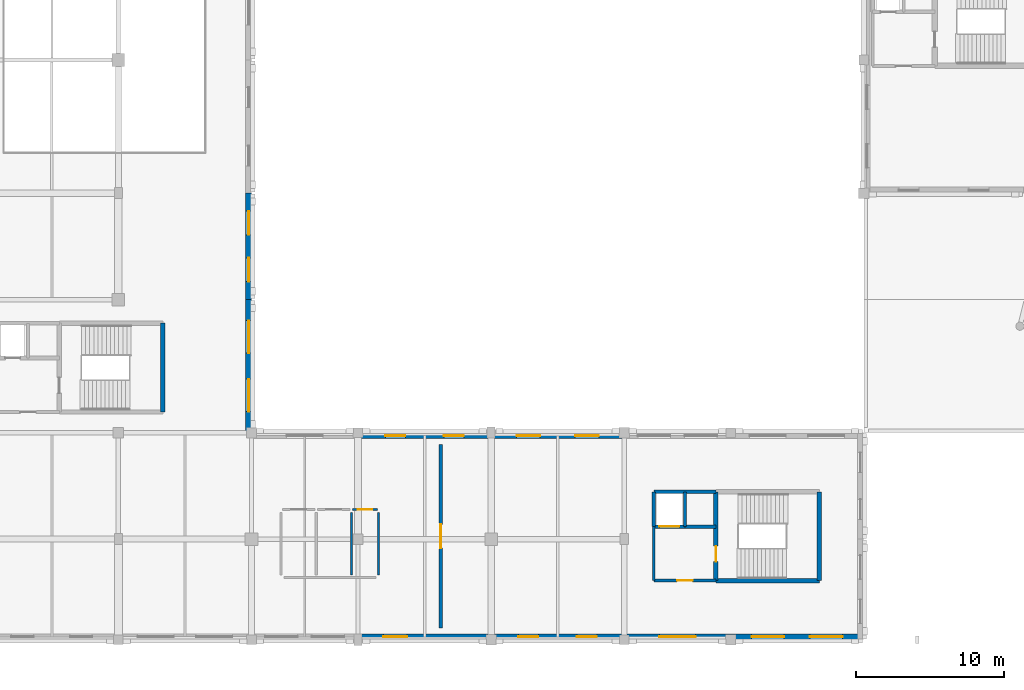
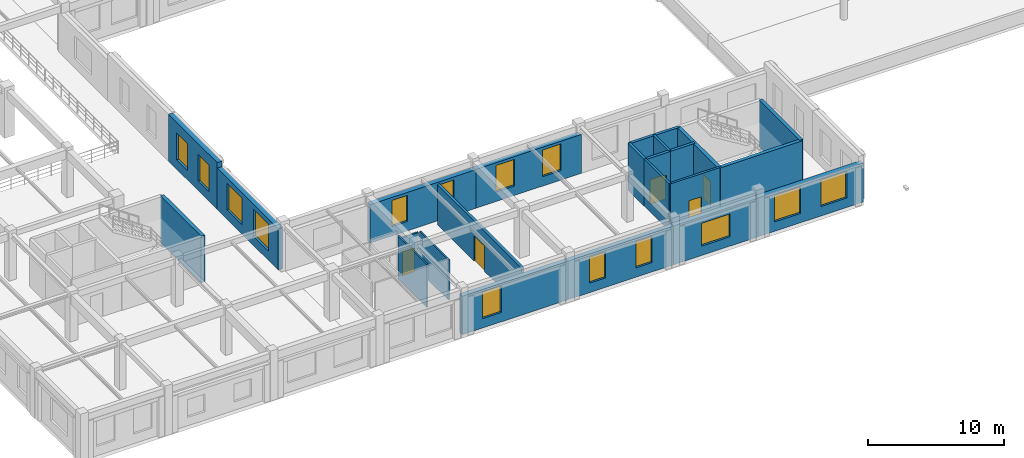
# One storey, part 37 of 62: 23 walls, 14 windows, 5 doors, 19 openings.
"""IFC4 building model written with IfcOpenShell, lengths in metres."""

from ifc_helpers import new_model, si_unit, direction, frame, frame_2d, origin, place, context, subcontext, project, spatial, rectangle, extrude, material, layer, layer_set, type_object, element, fill, save


model = new_model("IFC4")

# Units and contexts
model_context = context("Model", 3, precision=1e-05, world=origin(), true_north=direction((0.0, 1.0)))
body_context = subcontext(model_context, "Body", "Model", "MODEL_VIEW")
ifc_project = project(units=[si_unit("LENGTHUNIT", "METRE"), si_unit("AREAUNIT", "SQUARE_METRE"), si_unit("VOLUMEUNIT", "CUBIC_METRE"), si_unit("PLANEANGLEUNIT", "RADIAN"), si_unit("MASSUNIT", "GRAM", prefix="KILO")], contexts=[model_context])

# Site, building, storey
site_placement = place(None, origin())
site = spatial("IfcSite", under=ifc_project, at=site_placement, CompositionType="ELEMENT")
building_placement = place(site_placement, origin())
building = spatial("IfcBuilding", under=site, at=building_placement, Name="Clarverna Civic Hall", CompositionType="ELEMENT")
storey_placement = place(building_placement, frame((0.0, 0.0, 5.10009765625)))
storey = spatial("IfcBuildingStorey", under=building, at=storey_placement, Name="L01", CompositionType="ELEMENT", Elevation=5.10009765625)

# Wall, openings, windows
ifc_material_1 = material(Name="Montjuic Limestone Ashlar Cladding", Category="masonry")
ifc_layer_1 = layer(ifc_material_1, 0.39990234375)
ifc_layer_set_1 = layer_set([ifc_layer_1], Name="Montjuic Limestone Ashlar Cladding")
wall_type_1 = type_object("IfcWallType", Name="EW-02", PredefinedType="SOLIDWALL", material=ifc_layer_set_1)
wall_1_placement = place(storey_placement, frame((25.0, 30.199951171875, 0.0), z_axis=(0.0, 0.0, 1.0), x_axis=(0.0, -1.0, 0.0)))
wall_1 = element("IfcWall", 1, at=wall_1_placement, inside=storey, type_object=wall_type_1, Name="EW-02-067", PredefinedType="SOLIDWALL", context=body_context, shape_type="SweptSolid", body=[
    extrude(rectangle(XDim=7.199951171875, YDim=0.39990234375, at=frame_2d((3.60009765625, 0.0))), origin(), (0.0, 0.0, 1.0), 4.219970703125),
])
opening_1_placement = place(wall_1_placement, frame((1.216064453125, 0.0, 0.85009765625)))
opening_1 = element("IfcOpeningElement", 2, at=opening_1_placement, cuts=wall_1, Name="Opening WN-03", PredefinedType="OPENING", context=body_context, shape_type="SweptSolid", body=[
    extrude(rectangle(XDim=1.60009765625, YDim=2.39990234375, at=frame_2d((0.800048828125, 1.199951171875))), frame((0.0, 0.2099609375, 0.0), z_axis=(0.0, -1.0, 0.0), x_axis=(1.0, 0.0, 0.0)), (0.0, 0.0, 1.0), 0.419921875),
])
opening_2_placement = place(wall_1_placement, frame((4.384033203125, 0.0, 0.85009765625)))
opening_2 = element("IfcOpeningElement", 3, at=opening_2_placement, cuts=wall_1, Name="Opening WN-03", PredefinedType="OPENING", context=body_context, shape_type="SweptSolid", body=[
    extrude(rectangle(XDim=1.60009765625, YDim=2.39990234375, at=frame_2d((0.800048828125, 1.199951171875))), frame((0.0, 0.2099609375, 0.0), z_axis=(0.0, -1.0, 0.0), x_axis=(1.0, 0.0, 0.0)), (0.0, 0.0, 1.0), 0.419921875),
])
ifc_material_2 = material(Name="Solar-Control Argon Low-E Double Glazing", Category="glass")
window_type_1 = type_object("IfcWindowType", Name="WN-03", PartitioningType="DOUBLE_PANEL_VERTICAL", PredefinedType="WINDOW", material=ifc_material_2)
window_1_placement = place(opening_1_placement, origin())
window_1 = element("IfcWindow", 4, at=window_1_placement, inside=storey, type_object=window_type_1, Name="WN-03-023", OverallHeight=2.39990234375, OverallWidth=1.60009765625, PartitioningType="DOUBLE_PANEL_VERTICAL", PredefinedType="WINDOW", context=body_context, shape_type="SweptSolid", body=[
    extrude(rectangle(XDim=1.60009765625, YDim=2.39990234375, at=frame_2d((0.800048828125, 1.199951171875))), frame((0.0, 0.030029296875, 0.0), z_axis=(0.0, -1.0, 0.0), x_axis=(1.0, 0.0, 0.0)), (0.0, 0.0, 1.0), 0.06005859375),
])
fill(opening_1, window_1)
window_2_placement = place(opening_2_placement, origin())
window_2 = element("IfcWindow", 5, at=window_2_placement, inside=storey, type_object=window_type_1, Name="WN-03-024", OverallHeight=2.39990234375, OverallWidth=1.60009765625, PartitioningType="DOUBLE_PANEL_VERTICAL", PredefinedType="WINDOW", context=body_context, shape_type="SweptSolid", body=[
    extrude(rectangle(XDim=1.60009765625, YDim=2.39990234375, at=frame_2d((0.800048828125, 1.199951171875))), frame((0.0, 0.030029296875, 0.0), z_axis=(0.0, -1.0, 0.0), x_axis=(1.0, 0.0, 0.0)), (0.0, 0.0, 1.0), 0.06005859375),
])
fill(opening_2, window_2)

wall_2_placement = place(storey_placement, frame((25.0, 23.0, 0.0), z_axis=(0.0, 0.0, 1.0), x_axis=(0.0, -1.0, 0.0)))
wall_2 = element("IfcWall", 6, at=wall_2_placement, inside=storey, type_object=wall_type_1, Name="EW-02-068", PredefinedType="SOLIDWALL", context=body_context, shape_type="SweptSolid", body=[
    extrude(rectangle(XDim=9.0, YDim=0.39990234375, at=frame_2d((4.5, 0.0))), origin(), (0.0, 0.0, 1.0), 3.719970703125),
])
opening_3_placement = place(wall_2_placement, frame((1.419921875, 0.0, 0.85009765625)))
opening_3 = element("IfcOpeningElement", 7, at=opening_3_placement, cuts=wall_2, Name="Opening WN-04", PredefinedType="OPENING", context=body_context, shape_type="SweptSolid", body=[
    extrude(rectangle(XDim=2.199951171875, YDim=2.39990234375, at=frame_2d((1.10009765625, 1.199951171875))), frame((0.0, 0.2099609375, 0.0), z_axis=(0.0, -1.0, 0.0), x_axis=(1.0, 0.0, 0.0)), (0.0, 0.0, 1.0), 0.419921875),
])
opening_4_placement = place(wall_2_placement, frame((5.3798828125, 0.0, 0.85009765625)))
opening_4 = element("IfcOpeningElement", 8, at=opening_4_placement, cuts=wall_2, Name="Opening WN-04", PredefinedType="OPENING", context=body_context, shape_type="SweptSolid", body=[
    extrude(rectangle(XDim=2.199951171875, YDim=2.39990234375, at=frame_2d((1.10009765625, 1.199951171875))), frame((0.0, 0.2099609375, 0.0), z_axis=(0.0, -1.0, 0.0), x_axis=(1.0, 0.0, 0.0)), (0.0, 0.0, 1.0), 0.419921875),
])
window_type_2 = type_object("IfcWindowType", Name="WN-04", PartitioningType="DOUBLE_PANEL_VERTICAL", PredefinedType="WINDOW", material=ifc_material_2)
window_3_placement = place(opening_3_placement, origin())
window_3 = element("IfcWindow", 9, at=window_3_placement, inside=storey, type_object=window_type_2, Name="WN-04-021", OverallHeight=2.39990234375, OverallWidth=2.199951171875, PartitioningType="DOUBLE_PANEL_VERTICAL", PredefinedType="WINDOW", context=body_context, shape_type="SweptSolid", body=[
    extrude(rectangle(XDim=2.199951171875, YDim=2.39990234375, at=frame_2d((1.10009765625, 1.199951171875))), frame((0.0, 0.030029296875, 0.0), z_axis=(0.0, -1.0, 0.0), x_axis=(1.0, 0.0, 0.0)), (0.0, 0.0, 1.0), 0.06005859375),
])
fill(opening_3, window_3)
window_4_placement = place(opening_4_placement, origin())
window_4 = element("IfcWindow", 10, at=window_4_placement, inside=storey, type_object=window_type_2, Name="WN-04-022", OverallHeight=2.39990234375, OverallWidth=2.199951171875, PartitioningType="DOUBLE_PANEL_VERTICAL", PredefinedType="WINDOW", context=body_context, shape_type="SweptSolid", body=[
    extrude(rectangle(XDim=2.199951171875, YDim=2.39990234375, at=frame_2d((1.10009765625, 1.199951171875))), frame((0.0, 0.030029296875, 0.0), z_axis=(0.0, -1.0, 0.0), x_axis=(1.0, 0.0, 0.0)), (0.0, 0.0, 1.0), 0.06005859375),
])
fill(opening_4, window_4)

wall_3_placement = place(storey_placement, frame((32.39990234375, 13.800048828125, 0.0), z_axis=(0.0, 0.0, 1.0), x_axis=(1.0, 0.0, 0.0)))
wall_3 = element("IfcWall", 11, at=wall_3_placement, inside=storey, type_object=wall_type_1, Name="EW-02-070", PredefinedType="SOLIDWALL", context=body_context, shape_type="SweptSolid", body=[
    extrude(rectangle(XDim=9.0, YDim=0.39990234375, at=frame_2d((4.5, 0.0))), origin(), (0.0, 0.0, 1.0), 3.469970703125),
])
opening_5_placement = place(wall_3_placement, frame((1.844970703125, 0.0, 0.85009765625)))
opening_5 = element("IfcOpeningElement", 12, at=opening_5_placement, cuts=wall_3, Name="Opening WN-29", PredefinedType="OPENING", context=body_context, shape_type="SweptSolid", body=[
    extrude(rectangle(XDim=1.35009765625, YDim=2.35009765625, at=frame_2d((0.675048828125, 1.175048828125))), frame((0.0, 0.2099609375, 0.0), z_axis=(0.0, -1.0, 0.0), x_axis=(1.0, 0.0, 0.0)), (0.0, 0.0, 1.0), 0.419921875),
])
opening_6_placement = place(wall_3_placement, frame((5.804931640625, 0.0, 0.85009765625)))
opening_6 = element("IfcOpeningElement", 13, at=opening_6_placement, cuts=wall_3, Name="Opening WN-29", PredefinedType="OPENING", context=body_context, shape_type="SweptSolid", body=[
    extrude(rectangle(XDim=1.35009765625, YDim=2.35009765625, at=frame_2d((0.675048828125, 1.175048828125))), frame((0.0, 0.2099609375, 0.0), z_axis=(0.0, -1.0, 0.0), x_axis=(1.0, 0.0, 0.0)), (0.0, 0.0, 1.0), 0.419921875),
])
window_type_3 = type_object("IfcWindowType", Name="WN-29", PartitioningType="SINGLE_PANEL", PredefinedType="WINDOW", material=ifc_material_2)
window_5_placement = place(opening_5_placement, origin())
window_5 = element("IfcWindow", 14, at=window_5_placement, inside=storey, type_object=window_type_3, Name="WN-29-030", OverallHeight=2.35009765625, OverallWidth=1.35009765625, PartitioningType="SINGLE_PANEL", PredefinedType="WINDOW", context=body_context, shape_type="SweptSolid", body=[
    extrude(rectangle(XDim=1.35009765625, YDim=2.35009765625, at=frame_2d((0.675048828125, 1.175048828125))), frame((0.0, 0.030029296875, 0.0), z_axis=(0.0, -1.0, 0.0), x_axis=(1.0, 0.0, 0.0)), (0.0, 0.0, 1.0), 0.06005859375),
])
fill(opening_5, window_5)
window_6_placement = place(opening_6_placement, origin())
window_6 = element("IfcWindow", 15, at=window_6_placement, inside=storey, type_object=window_type_3, Name="WN-29-031", OverallHeight=2.35009765625, OverallWidth=1.35009765625, PartitioningType="SINGLE_PANEL", PredefinedType="WINDOW", context=body_context, shape_type="SweptSolid", body=[
    extrude(rectangle(XDim=1.35009765625, YDim=2.35009765625, at=frame_2d((0.675048828125, 1.175048828125))), frame((0.0, 0.030029296875, 0.0), z_axis=(0.0, -1.0, 0.0), x_axis=(1.0, 0.0, 0.0)), (0.0, 0.0, 1.0), 0.06005859375),
])
fill(opening_6, window_6)

wall_4_placement = place(storey_placement, frame((41.39990234375, 13.800048828125, 0.0), z_axis=(0.0, 0.0, 1.0), x_axis=(1.0, 0.0, 0.0)))
wall_4 = element("IfcWall", 16, at=wall_4_placement, inside=storey, type_object=wall_type_1, Name="EW-02-071", PredefinedType="SOLIDWALL", context=body_context, shape_type="SweptSolid", body=[
    extrude(rectangle(XDim=9.0, YDim=0.39990234375, at=frame_2d((4.5, 0.0))), origin(), (0.0, 0.0, 1.0), 3.5),
])
opening_7_placement = place(wall_4_placement, frame((1.719970703125, 0.0, 0.85009765625)))
opening_7 = element("IfcOpeningElement", 17, at=opening_7_placement, cuts=wall_4, Name="Opening WN-03", PredefinedType="OPENING", context=body_context, shape_type="SweptSolid", body=[
    extrude(rectangle(XDim=1.60009765625, YDim=2.39990234375, at=frame_2d((0.800048828125, 1.199951171875))), frame((0.0, 0.2099609375, 0.0), z_axis=(0.0, -1.0, 0.0), x_axis=(1.0, 0.0, 0.0)), (0.0, 0.0, 1.0), 0.419921875),
])
opening_8_placement = place(wall_4_placement, frame((5.679931640625, 0.0, 0.85009765625)))
opening_8 = element("IfcOpeningElement", 18, at=opening_8_placement, cuts=wall_4, Name="Opening WN-03", PredefinedType="OPENING", context=body_context, shape_type="SweptSolid", body=[
    extrude(rectangle(XDim=1.60009765625, YDim=2.39990234375, at=frame_2d((0.800048828125, 1.199951171875))), frame((0.0, 0.2099609375, 0.0), z_axis=(0.0, -1.0, 0.0), x_axis=(1.0, 0.0, 0.0)), (0.0, 0.0, 1.0), 0.419921875),
])
window_7_placement = place(opening_7_placement, origin())
window_7 = element("IfcWindow", 19, at=window_7_placement, inside=storey, type_object=window_type_1, Name="WN-03-025", OverallHeight=2.39990234375, OverallWidth=1.60009765625, PartitioningType="DOUBLE_PANEL_VERTICAL", PredefinedType="WINDOW", context=body_context, shape_type="SweptSolid", body=[
    extrude(rectangle(XDim=1.60009765625, YDim=2.39990234375, at=frame_2d((0.800048828125, 1.199951171875))), frame((0.0, 0.030029296875, 0.0), z_axis=(0.0, -1.0, 0.0), x_axis=(1.0, 0.0, 0.0)), (0.0, 0.0, 1.0), 0.06005859375),
])
fill(opening_7, window_7)
window_8_placement = place(opening_8_placement, origin())
window_8 = element("IfcWindow", 20, at=window_8_placement, inside=storey, type_object=window_type_1, Name="WN-03-026", OverallHeight=2.39990234375, OverallWidth=1.60009765625, PartitioningType="DOUBLE_PANEL_VERTICAL", PredefinedType="WINDOW", context=body_context, shape_type="SweptSolid", body=[
    extrude(rectangle(XDim=1.60009765625, YDim=2.39990234375, at=frame_2d((0.800048828125, 1.199951171875))), frame((0.0, 0.030029296875, 0.0), z_axis=(0.0, -1.0, 0.0), x_axis=(1.0, 0.0, 0.0)), (0.0, 0.0, 1.0), 0.06005859375),
])
fill(opening_8, window_8)

wall_5_placement = place(storey_placement, frame((66.574951171875, 0.199951171875, 0.0), z_axis=(0.0, 0.0, 1.0), x_axis=(-1.0, 0.0, 0.0)))
wall_5 = element("IfcWall", 21, at=wall_5_placement, inside=storey, type_object=wall_type_1, Name="EW-02-076", PredefinedType="SOLIDWALL", context=body_context, shape_type="SweptSolid", body=[
    extrude(rectangle(XDim=8.974853515625, YDim=0.39990234375, at=frame_2d((4.4873046875, 0.0))), origin(), (0.0, 0.0, 1.0), 3.5),
])
opening_9_placement = place(wall_5_placement, frame((1.4130859375, 0.0, 0.85009765625)))
opening_9 = element("IfcOpeningElement", 22, at=opening_9_placement, cuts=wall_5, Name="Opening WN-04", PredefinedType="OPENING", context=body_context, shape_type="SweptSolid", body=[
    extrude(rectangle(XDim=2.199951171875, YDim=2.39990234375, at=frame_2d((1.10009765625, 1.199951171875))), frame((0.0, 0.2099609375, 0.0), z_axis=(0.0, -1.0, 0.0), x_axis=(1.0, 0.0, 0.0)), (0.0, 0.0, 1.0), 0.419921875),
])
opening_10_placement = place(wall_5_placement, frame((5.362060546875, 0.0, 0.85009765625)))
opening_10 = element("IfcOpeningElement", 23, at=opening_10_placement, cuts=wall_5, Name="Opening WN-04", PredefinedType="OPENING", context=body_context, shape_type="SweptSolid", body=[
    extrude(rectangle(XDim=2.199951171875, YDim=2.39990234375, at=frame_2d((1.10009765625, 1.199951171875))), frame((0.0, 0.2099609375, 0.0), z_axis=(0.0, -1.0, 0.0), x_axis=(1.0, 0.0, 0.0)), (0.0, 0.0, 1.0), 0.419921875),
])
window_9_placement = place(opening_9_placement, origin())
window_9 = element("IfcWindow", 24, at=window_9_placement, inside=storey, type_object=window_type_2, Name="WN-04-025", OverallHeight=2.39990234375, OverallWidth=2.199951171875, PartitioningType="DOUBLE_PANEL_VERTICAL", PredefinedType="WINDOW", context=body_context, shape_type="SweptSolid", body=[
    extrude(rectangle(XDim=2.199951171875, YDim=2.39990234375, at=frame_2d((1.10009765625, 1.199951171875))), frame((0.0, 0.030029296875, 0.0), z_axis=(0.0, -1.0, 0.0), x_axis=(1.0, 0.0, 0.0)), (0.0, 0.0, 1.0), 0.06005859375),
])
fill(opening_9, window_9)
window_10_placement = place(opening_10_placement, origin())
window_10 = element("IfcWindow", 25, at=window_10_placement, inside=storey, type_object=window_type_2, Name="WN-04-026", OverallHeight=2.39990234375, OverallWidth=2.199951171875, PartitioningType="DOUBLE_PANEL_VERTICAL", PredefinedType="WINDOW", context=body_context, shape_type="SweptSolid", body=[
    extrude(rectangle(XDim=2.199951171875, YDim=2.39990234375, at=frame_2d((1.10009765625, 1.199951171875))), frame((0.0, 0.030029296875, 0.0), z_axis=(0.0, -1.0, 0.0), x_axis=(1.0, 0.0, 0.0)), (0.0, 0.0, 1.0), 0.06005859375),
])
fill(opening_10, window_10)

# Wall, opening, window
wall_6_placement = place(storey_placement, frame((57.60009765625, 0.199951171875, 0.0), z_axis=(0.0, 0.0, 1.0), x_axis=(-1.0, 0.0, 0.0)))
wall_6 = element("IfcWall", 26, at=wall_6_placement, inside=storey, type_object=wall_type_1, Name="EW-02-077", PredefinedType="SOLIDWALL", context=body_context, shape_type="SweptSolid", body=[
    extrude(rectangle(XDim=7.2001953125, YDim=0.39990234375, at=frame_2d((3.60009765625, 0.0))), origin(), (0.0, 0.0, 1.0), 3.5),
])
opening_11_placement = place(wall_6_placement, frame((2.375, 0.0, 0.85009765625)))
opening_11 = element("IfcOpeningElement", 27, at=opening_11_placement, cuts=wall_6, Name="Opening WN-24", PredefinedType="OPENING", context=body_context, shape_type="SweptSolid", body=[
    extrude(rectangle(XDim=2.449951171875, YDim=2.050048828125, at=frame_2d((1.22509765625, 1.02490234375))), frame((0.0, 0.2099609375, 0.0), z_axis=(0.0, -1.0, 0.0), x_axis=(1.0, 0.0, 0.0)), (0.0, 0.0, 1.0), 0.419921875),
])
window_type_4 = type_object("IfcWindowType", Name="WN-24", PartitioningType="TRIPLE_PANEL_VERTICAL", PredefinedType="WINDOW", material=ifc_material_2)
window_11_placement = place(opening_11_placement, origin())
window_11 = element("IfcWindow", 28, at=window_11_placement, inside=storey, type_object=window_type_4, Name="WN-24-030", OverallHeight=2.050048828125, OverallWidth=2.449951171875, PartitioningType="TRIPLE_PANEL_VERTICAL", PredefinedType="WINDOW", context=body_context, shape_type="SweptSolid", body=[
    extrude(rectangle(XDim=2.449951171875, YDim=2.050048828125, at=frame_2d((1.22509765625, 1.02490234375))), frame((0.0, 0.030029296875, 0.0), z_axis=(0.0, -1.0, 0.0), x_axis=(1.0, 0.0, 0.0)), (0.0, 0.0, 1.0), 0.06005859375),
])
fill(opening_11, window_11)

# Wall, openings, windows
wall_7_placement = place(storey_placement, frame((50.39990234375, 0.199951171875, 0.0), z_axis=(0.0, 0.0, 1.0), x_axis=(-1.0, 0.0, 0.0)))
wall_7 = element("IfcWall", 29, at=wall_7_placement, inside=storey, type_object=wall_type_1, Name="EW-02-078", PredefinedType="SOLIDWALL", context=body_context, shape_type="SweptSolid", body=[
    extrude(rectangle(XDim=9.0, YDim=0.39990234375, at=frame_2d((4.5, 0.0))), origin(), (0.0, 0.0, 1.0), 3.469970703125),
])
opening_12_placement = place(wall_7_placement, frame((1.844970703125, 0.0, 0.85009765625)))
opening_12 = element("IfcOpeningElement", 30, at=opening_12_placement, cuts=wall_7, Name="Opening WN-29", PredefinedType="OPENING", context=body_context, shape_type="SweptSolid", body=[
    extrude(rectangle(XDim=1.35009765625, YDim=2.35009765625, at=frame_2d((0.675048828125, 1.175048828125))), frame((0.0, 0.2099609375, 0.0), z_axis=(0.0, -1.0, 0.0), x_axis=(1.0, 0.0, 0.0)), (0.0, 0.0, 1.0), 0.419921875),
])
opening_13_placement = place(wall_7_placement, frame((5.804931640625, 0.0, 0.85009765625)))
opening_13 = element("IfcOpeningElement", 31, at=opening_13_placement, cuts=wall_7, Name="Opening WN-29", PredefinedType="OPENING", context=body_context, shape_type="SweptSolid", body=[
    extrude(rectangle(XDim=1.35009765625, YDim=2.35009765625, at=frame_2d((0.675048828125, 1.175048828125))), frame((0.0, 0.2099609375, 0.0), z_axis=(0.0, -1.0, 0.0), x_axis=(1.0, 0.0, 0.0)), (0.0, 0.0, 1.0), 0.419921875),
])
window_12_placement = place(opening_12_placement, origin())
window_12 = element("IfcWindow", 32, at=window_12_placement, inside=storey, type_object=window_type_3, Name="WN-29-034", OverallHeight=2.35009765625, OverallWidth=1.35009765625, PartitioningType="SINGLE_PANEL", PredefinedType="WINDOW", context=body_context, shape_type="SweptSolid", body=[
    extrude(rectangle(XDim=1.35009765625, YDim=2.35009765625, at=frame_2d((0.675048828125, 1.175048828125))), frame((0.0, 0.030029296875, 0.0), z_axis=(0.0, -1.0, 0.0), x_axis=(1.0, 0.0, 0.0)), (0.0, 0.0, 1.0), 0.06005859375),
])
fill(opening_12, window_12)
window_13_placement = place(opening_13_placement, origin())
window_13 = element("IfcWindow", 33, at=window_13_placement, inside=storey, type_object=window_type_3, Name="WN-29-035", OverallHeight=2.35009765625, OverallWidth=1.35009765625, PartitioningType="SINGLE_PANEL", PredefinedType="WINDOW", context=body_context, shape_type="SweptSolid", body=[
    extrude(rectangle(XDim=1.35009765625, YDim=2.35009765625, at=frame_2d((0.675048828125, 1.175048828125))), frame((0.0, 0.030029296875, 0.0), z_axis=(0.0, -1.0, 0.0), x_axis=(1.0, 0.0, 0.0)), (0.0, 0.0, 1.0), 0.06005859375),
])
fill(opening_13, window_13)

# Wall, opening, window
wall_8_placement = place(storey_placement, frame((41.39990234375, 0.199951171875, 0.0), z_axis=(0.0, 0.0, 1.0), x_axis=(-1.0, 0.0, 0.0)))
wall_8 = element("IfcWall", 34, at=wall_8_placement, inside=storey, type_object=wall_type_1, Name="EW-02-079", PredefinedType="SOLIDWALL", context=body_context, shape_type="SweptSolid", body=[
    extrude(rectangle(XDim=9.0, YDim=0.39990234375, at=frame_2d((4.5, 0.0))), origin(), (0.0, 0.0, 1.0), 3.469970703125),
])
opening_14_placement = place(wall_8_placement, frame((5.679931640625, 0.0, 0.85009765625)))
opening_14 = element("IfcOpeningElement", 35, at=opening_14_placement, cuts=wall_8, Name="Opening WN-03", PredefinedType="OPENING", context=body_context, shape_type="SweptSolid", body=[
    extrude(rectangle(XDim=1.60009765625, YDim=2.39990234375, at=frame_2d((0.800048828125, 1.199951171875))), frame((0.0, 0.2099609375, 0.0), z_axis=(0.0, -1.0, 0.0), x_axis=(1.0, 0.0, 0.0)), (0.0, 0.0, 1.0), 0.419921875),
])
window_14_placement = place(opening_14_placement, origin())
window_14 = element("IfcWindow", 36, at=window_14_placement, inside=storey, type_object=window_type_1, Name="WN-03-029", OverallHeight=2.39990234375, OverallWidth=1.60009765625, PartitioningType="DOUBLE_PANEL_VERTICAL", PredefinedType="WINDOW", context=body_context, shape_type="SweptSolid", body=[
    extrude(rectangle(XDim=1.60009765625, YDim=2.39990234375, at=frame_2d((0.800048828125, 1.199951171875))), frame((0.0, 0.030029296875, 0.0), z_axis=(0.0, -1.0, 0.0), x_axis=(1.0, 0.0, 0.0)), (0.0, 0.0, 1.0), 0.06005859375),
])
fill(opening_14, window_14)

# Walls
ifc_material_3 = material(Name="Ceramic Brick and Plaster Wet-Room Partition", Category="masonry")
ifc_layer_2 = layer(ifc_material_3, 0.139892578125)
ifc_layer_set_2 = layer_set([ifc_layer_2], Name="Ceramic Brick and Plaster Wet-Room Partition")
wall_type_2 = type_object("IfcWallType", Name="PW-02", PredefinedType="PARTITIONING", material=ifc_layer_set_2)
wall_9_placement = place(storey_placement, frame((33.800048828125, 4.3798828125, 0.0), z_axis=(0.0, 0.0, 1.0), x_axis=(0.0, 1.0, 0.0)))
element("IfcWall", 37, at=wall_9_placement, inside=storey, type_object=wall_type_2, Name="PW-02-179", PredefinedType="PARTITIONING", context=body_context, shape_type="SweptSolid", body=[
    extrude(rectangle(XDim=4.240234375, YDim=0.139892578125, at=frame_2d((2.1201171875, 0.0))), origin(), (0.0, 0.0, 1.0), 3.619873046875),
])
wall_10_placement = place(storey_placement, frame((31.951904296875, 4.3798828125, 0.0), z_axis=(0.0, 0.0, 1.0), x_axis=(0.0, 1.0, 0.0)))
element("IfcWall", 38, at=wall_10_placement, inside=storey, type_object=wall_type_2, Name="PW-02-181", PredefinedType="PARTITIONING", context=body_context, shape_type="SweptSolid", body=[
    extrude(rectangle(XDim=4.240234375, YDim=0.139892578125, at=frame_2d((2.1201171875, 0.0))), origin(), (0.0, 0.0, 1.0), 3.869873046875),
])

# Wall, opening, door
wall_11_placement = place(storey_placement, frame((32.031982421875, 8.800048828125, 0.0), z_axis=(0.0, 0.0, 1.0), x_axis=(1.0, 0.0, 0.0)))
wall_11 = element("IfcWall", 39, at=wall_11_placement, inside=storey, type_object=wall_type_2, Name="PW-02-184", PredefinedType="PARTITIONING", context=body_context, shape_type="SweptSolid", body=[
    extrude(rectangle(XDim=1.68798828125, YDim=0.139892578125, at=frame_2d((0.843994140625, 0.0))), origin(), (0.0, 0.0, 1.0), 3.469970703125),
])
opening_15_placement = place(wall_11_placement, frame((0.343994140625, 0.0, 0.0)))
opening_15 = element("IfcOpeningElement", 40, at=opening_15_placement, cuts=wall_11, Name="Opening ID-02", PredefinedType="OPENING", context=body_context, shape_type="SweptSolid", body=[
    extrude(rectangle(XDim=1.0, YDim=2.14990234375, at=frame_2d((0.5, 1.074951171875))), frame((0.0, 0.079833984375, 0.0), z_axis=(0.0, -1.0, 0.0), x_axis=(1.0, 0.0, 0.0)), (0.0, 0.0, 1.0), 0.159912109375),
])
ifc_material_4 = material(Name="European Oak Veneered Acoustic Timber Door", Category="wood")
door_type_1 = type_object("IfcDoorType", Name="ID-02", OperationType="NOTDEFINED", PredefinedType="DOOR", material=ifc_material_4)
door_1_placement = place(opening_15_placement, origin())
door_1 = element("IfcDoor", 41, at=door_1_placement, inside=storey, type_object=door_type_1, Name="ID-02-069", OperationType="SINGLE_SWING_LEFT", OverallHeight=2.14990234375, OverallWidth=1.0, PredefinedType="DOOR", context=body_context, shape_type="SweptSolid", body=[
    extrude(rectangle(XDim=1.0, YDim=2.14990234375, at=frame_2d((0.5, 1.074951171875))), frame((0.0, 0.02490234375, 0.0), z_axis=(0.0, -1.0, 0.0), x_axis=(1.0, 0.0, 0.0)), (0.0, 0.0, 1.0), 0.050048828125),
])
fill(opening_15, door_1)

ifc_material_5 = material(Name="Aerated Concrete Masonry Blockwork", Category="masonry")
ifc_layer_3 = layer(ifc_material_5, 0.219970703125)
ifc_layer_set_3 = layer_set([ifc_layer_3], Name="Aerated Concrete Masonry Blockwork")
wall_type_3 = type_object("IfcWallType", Name="PW-05", PredefinedType="PARTITIONING", material=ifc_layer_set_3)
wall_12_placement = place(storey_placement, frame((38.0, 0.800048828125, 0.0), z_axis=(0.0, 0.0, 1.0), x_axis=(0.0, 1.0, 0.0)))
wall_12 = element("IfcWall", 42, at=wall_12_placement, inside=storey, type_object=wall_type_3, Name="PW-05-009", PredefinedType="PARTITIONING", context=body_context, shape_type="SweptSolid", body=[
    extrude(rectangle(XDim=12.39990234375, YDim=0.219970703125, at=frame_2d((6.199951171875, 0.0))), origin(), (0.0, 0.0, 1.0), 3.619873046875),
])
opening_16_placement = place(wall_12_placement, frame((5.39990234375, 0.0, 0.0)))
opening_16 = element("IfcOpeningElement", 43, at=opening_16_placement, cuts=wall_12, Name="Opening FD-04", PredefinedType="OPENING", context=body_context, shape_type="SweptSolid", body=[
    extrude(rectangle(XDim=1.60009765625, YDim=2.300048828125, at=frame_2d((0.800048828125, 1.14990234375))), frame((0.0, 0.119873046875, 0.0), z_axis=(0.0, -1.0, 0.0), x_axis=(1.0, 0.0, 0.0)), (0.0, 0.0, 1.0), 0.239990234375),
])
ifc_material_6 = material(Name="Acoustic Walnut-Veneered Fire Door")
door_type_2 = type_object("IfcDoorType", Name="FD-04", OperationType="DOUBLE_DOOR_SINGLE_SWING", PredefinedType="DOOR", material=ifc_material_6)
door_2_placement = place(opening_16_placement, origin())
door_2 = element("IfcDoor", 44, at=door_2_placement, inside=storey, type_object=door_type_2, Name="FD-04-001", OperationType="DOUBLE_DOOR_SINGLE_SWING", OverallHeight=2.300048828125, OverallWidth=1.60009765625, PredefinedType="DOOR", context=body_context, shape_type="SweptSolid", body=[
    extrude(rectangle(XDim=1.60009765625, YDim=2.300048828125, at=frame_2d((0.800048828125, 1.14990234375))), frame((0.0, 0.02490234375, 0.0), z_axis=(0.0, -1.0, 0.0), x_axis=(1.0, 0.0, 0.0)), (0.0, 0.0, 1.0), 0.050048828125),
])
fill(opening_16, door_2)

# Wall
ifc_material_7 = material(Name="Acoustic Gypsum Plasterboard on Twin Frame", Category="gypsum")
ifc_layer_4 = layer(ifc_material_7, 0.18994140625)
ifc_layer_set_4 = layer_set([ifc_layer_4], Name="Acoustic Gypsum Plasterboard on Twin Frame")
wall_type_4 = type_object("IfcWallType", Name="PW-06", PredefinedType="PARTITIONING", material=ifc_layer_set_4)
wall_13_placement = place(storey_placement, frame((52.39990234375, 4.0, 0.0), z_axis=(0.0, 0.0, 1.0), x_axis=(0.0, 1.0, 0.0)))
element("IfcWall", 45, at=wall_13_placement, inside=storey, type_object=wall_type_4, Name="PW-06-073", PredefinedType="PARTITIONING", context=body_context, shape_type="SweptSolid", body=[
    extrude(rectangle(XDim=3.64990234375, YDim=0.18994140625, at=frame_2d((1.824951171875, 0.0))), origin(), (0.0, 0.0, 1.0), 4.219970703125),
])

# Wall, opening, door
wall_14_placement = place(storey_placement, frame((52.39990234375, 4.0, 0.0), z_axis=(0.0, 0.0, 1.0), x_axis=(1.0, 0.0, 0.0)))
wall_14 = element("IfcWall", 46, at=wall_14_placement, inside=storey, type_object=wall_type_4, Name="PW-06-074", PredefinedType="PARTITIONING", context=body_context, shape_type="SweptSolid", body=[
    extrude(rectangle(XDim=4.2001953125, YDim=0.18994140625, at=frame_2d((2.10009765625, 0.0))), origin(), (0.0, 0.0, 1.0), 4.219970703125),
])
opening_17_placement = place(wall_14_placement, frame((1.574951171875, 0.0, 0.0)))
opening_17 = element("IfcOpeningElement", 47, at=opening_17_placement, cuts=wall_14, Name="Opening FD-02", PredefinedType="OPENING", context=body_context, shape_type="SweptSolid", body=[
    extrude(rectangle(XDim=1.050048828125, YDim=2.14990234375, at=frame_2d((0.52490234375, 1.074951171875))), frame((0.0, 0.10498046875, 0.0), z_axis=(0.0, -1.0, 0.0), x_axis=(1.0, 0.0, 0.0)), (0.0, 0.0, 1.0), 0.2099609375),
])
ifc_material_8 = material(Name="Acoustic Timber-Faced Fire Door", Category="wood")
door_type_3 = type_object("IfcDoorType", Name="FD-02", OperationType="NOTDEFINED", PredefinedType="DOOR", material=ifc_material_8)
door_3_placement = place(opening_17_placement, origin())
door_3 = element("IfcDoor", 48, at=door_3_placement, inside=storey, type_object=door_type_3, Name="FD-02-068", OperationType="SINGLE_SWING_RIGHT", OverallHeight=2.14990234375, OverallWidth=1.050048828125, PredefinedType="DOOR", context=body_context, shape_type="SweptSolid", body=[
    extrude(rectangle(XDim=1.050048828125, YDim=2.14990234375, at=frame_2d((0.52490234375, 1.074951171875))), frame((0.0, 0.02490234375, 0.0), z_axis=(0.0, -1.0, 0.0), x_axis=(1.0, 0.0, 0.0)), (0.0, 0.0, 1.0), 0.050048828125),
])
fill(opening_17, door_3)

ifc_material_9 = material(Name="Concrete C35/45", Category="concrete")
ifc_layer_5 = layer(ifc_material_9, 0.300048828125)
ifc_layer_set_5 = layer_set([ifc_layer_5], Name="Concrete C35/45")
wall_type_5 = type_object("IfcWallType", Name="SW-03", PredefinedType="SHEAR", material=ifc_layer_set_5)
wall_15_placement = place(storey_placement, frame((56.60009765625, 4.0, 0.0), z_axis=(0.0, 0.0, 1.0), x_axis=(0.0, 1.0, 0.0)))
wall_15 = element("IfcWall", 49, at=wall_15_placement, inside=storey, type_object=wall_type_5, Name="SW-03-073", PredefinedType="SHEAR", context=body_context, shape_type="SweptSolid", body=[
    extrude(rectangle(XDim=6.0, YDim=0.300048828125, at=frame_2d((3.0, 0.0))), origin(), (0.0, 0.0, 1.0), 4.219970703125),
])
opening_18_placement = place(wall_15_placement, frame((1.27490234375, 0.0, 0.0)))
opening_18 = element("IfcOpeningElement", 50, at=opening_18_placement, cuts=wall_15, Name="Opening FD-02", PredefinedType="OPENING", context=body_context, shape_type="SweptSolid", body=[
    extrude(rectangle(XDim=1.050048828125, YDim=2.14990234375, at=frame_2d((0.52490234375, 1.074951171875))), frame((0.0, 0.159912109375, 0.0), z_axis=(0.0, -1.0, 0.0), x_axis=(1.0, 0.0, 0.0)), (0.0, 0.0, 1.0), 0.320068359375),
])
door_4_placement = place(opening_18_placement, origin())
door_4 = element("IfcDoor", 51, at=door_4_placement, inside=storey, type_object=door_type_3, Name="FD-02-067", OperationType="SINGLE_SWING_LEFT", OverallHeight=2.14990234375, OverallWidth=1.050048828125, PredefinedType="DOOR", context=body_context, shape_type="SweptSolid", body=[
    extrude(rectangle(XDim=1.050048828125, YDim=2.14990234375, at=frame_2d((0.52490234375, 1.074951171875))), frame((0.0, 0.02490234375, 0.0), z_axis=(0.0, -1.0, 0.0), x_axis=(1.0, 0.0, 0.0)), (0.0, 0.0, 1.0), 0.050048828125),
])
fill(opening_18, door_4)

# Walls
wall_16_placement = place(storey_placement, frame((63.60009765625, 4.0, 0.0), z_axis=(0.0, 0.0, 1.0), x_axis=(0.0, 1.0, 0.0)))
element("IfcWall", 52, at=wall_16_placement, inside=storey, type_object=wall_type_5, Name="SW-03-074", PredefinedType="SHEAR", context=body_context, shape_type="SweptSolid", body=[
    extrude(rectangle(XDim=6.0, YDim=0.300048828125, at=frame_2d((3.0, 0.0))), origin(), (0.0, 0.0, 1.0), 4.219970703125),
])
wall_17_placement = place(storey_placement, frame((56.60009765625, 4.0, 0.0), z_axis=(0.0, 0.0, 1.0), x_axis=(1.0, 0.0, 0.0)))
element("IfcWall", 53, at=wall_17_placement, inside=storey, type_object=wall_type_5, Name="SW-03-075", PredefinedType="SHEAR", context=body_context, shape_type="SweptSolid", body=[
    extrude(rectangle(XDim=7.0, YDim=0.300048828125, at=frame_2d((3.5, 0.0))), origin(), (0.0, 0.0, 1.0), 4.219970703125),
])
wall_18_placement = place(storey_placement, frame((52.39990234375, 10.0, 0.0), z_axis=(0.0, 0.0, 1.0), x_axis=(1.0, 0.0, 0.0)))
element("IfcWall", 54, at=wall_18_placement, inside=storey, type_object=wall_type_5, Name="SW-03-077", PredefinedType="SHEAR", context=body_context, shape_type="SweptSolid", body=[
    extrude(rectangle(XDim=4.2001953125, YDim=0.239990234375, at=frame_2d((2.10009765625, 0.0))), origin(), (0.0, 0.0, 1.0), 4.219970703125),
])
wall_19_placement = place(storey_placement, frame((52.39990234375, 7.64990234375, 0.0), z_axis=(0.0, 0.0, 1.0), x_axis=(0.0, 1.0, 0.0)))
element("IfcWall", 55, at=wall_19_placement, inside=storey, type_object=wall_type_5, Name="SW-03-078", PredefinedType="SHEAR", context=body_context, shape_type="SweptSolid", body=[
    extrude(rectangle(XDim=2.35009765625, YDim=0.239990234375, at=frame_2d((1.175048828125, 0.0))), origin(), (0.0, 0.0, 1.0), 4.219970703125),
])
wall_20_placement = place(storey_placement, frame((54.5, 7.64990234375, 0.0), z_axis=(0.0, 0.0, 1.0), x_axis=(0.0, 1.0, 0.0)))
element("IfcWall", 56, at=wall_20_placement, inside=storey, type_object=wall_type_5, Name="SW-03-079", PredefinedType="SHEAR", context=body_context, shape_type="SweptSolid", body=[
    extrude(rectangle(XDim=2.35009765625, YDim=0.199951171875, at=frame_2d((1.175048828125, 0.0))), origin(), (0.0, 0.0, 1.0), 4.219970703125),
])

# Wall, opening, door
wall_21_placement = place(storey_placement, frame((52.39990234375, 7.64990234375, 0.0), z_axis=(0.0, 0.0, 1.0), x_axis=(1.0, 0.0, 0.0)))
wall_21 = element("IfcWall", 57, at=wall_21_placement, inside=storey, type_object=wall_type_5, Name="SW-03-080", PredefinedType="SHEAR", context=body_context, shape_type="SweptSolid", body=[
    extrude(rectangle(XDim=2.10009765625, YDim=0.239990234375, at=frame_2d((1.050048828125, 0.0))), origin(), (0.0, 0.0, 1.0), 4.219970703125),
])
opening_19_placement = place(wall_21_placement, frame((0.375, 0.0, 0.0)))
opening_19 = element("IfcOpeningElement", 58, at=opening_19_placement, cuts=wall_21, Name="Opening LD-02", PredefinedType="OPENING", context=body_context, shape_type="SweptSolid", body=[
    extrude(rectangle(XDim=1.35009765625, YDim=2.199951171875, at=frame_2d((0.675048828125, 1.10009765625))), frame((0.0, 0.1298828125, 0.0), z_axis=(0.0, -1.0, 0.0), x_axis=(1.0, 0.0, 0.0)), (0.0, 0.0, 1.0), 0.260009765625),
])
ifc_material_10 = material(Name="Brushed Bronze Stainless Lift Landing Door")
door_type_4 = type_object("IfcDoorType", Name="LD-02", OperationType="SLIDING_TO_RIGHT", PredefinedType="DOOR", material=ifc_material_10)
door_5_placement = place(opening_19_placement, origin())
door_5 = element("IfcDoor", 59, at=door_5_placement, inside=storey, type_object=door_type_4, Name="LD-02-009", OperationType="SLIDING_TO_RIGHT", OverallHeight=2.199951171875, OverallWidth=1.35009765625, PredefinedType="DOOR", context=body_context, shape_type="SweptSolid", body=[
    extrude(rectangle(XDim=1.35009765625, YDim=2.199951171875, at=frame_2d((0.675048828125, 1.10009765625))), frame((0.0, 0.02490234375, 0.0), z_axis=(0.0, -1.0, 0.0), x_axis=(1.0, 0.0, 0.0)), (0.0, 0.0, 1.0), 0.050048828125),
])
fill(opening_19, door_5)

# Walls
wall_22_placement = place(storey_placement, frame((54.5, 7.64990234375, 0.0), z_axis=(0.0, 0.0, 1.0), x_axis=(1.0, 0.0, 0.0)))
element("IfcWall", 60, at=wall_22_placement, inside=storey, type_object=wall_type_5, Name="SW-03-081", PredefinedType="SHEAR", context=body_context, shape_type="SweptSolid", body=[
    extrude(rectangle(XDim=2.10009765625, YDim=0.239990234375, at=frame_2d((1.050048828125, 0.0))), origin(), (0.0, 0.0, 1.0), 4.219970703125),
])
wall_23_placement = place(storey_placement, frame((19.199951171875, 15.39990234375, 0.0), z_axis=(0.0, 0.0, 1.0), x_axis=(0.0, 1.0, 0.0)))
element("IfcWall", 61, at=wall_23_placement, inside=storey, type_object=wall_type_5, Name="SW-03-119", PredefinedType="SHEAR", context=body_context, shape_type="SweptSolid", body=[
    extrude(rectangle(XDim=6.0, YDim=0.300048828125, at=frame_2d((3.0, 0.0))), origin(), (0.0, 0.0, 1.0), 4.219970703125),
])

save(model, "model.ifc")
